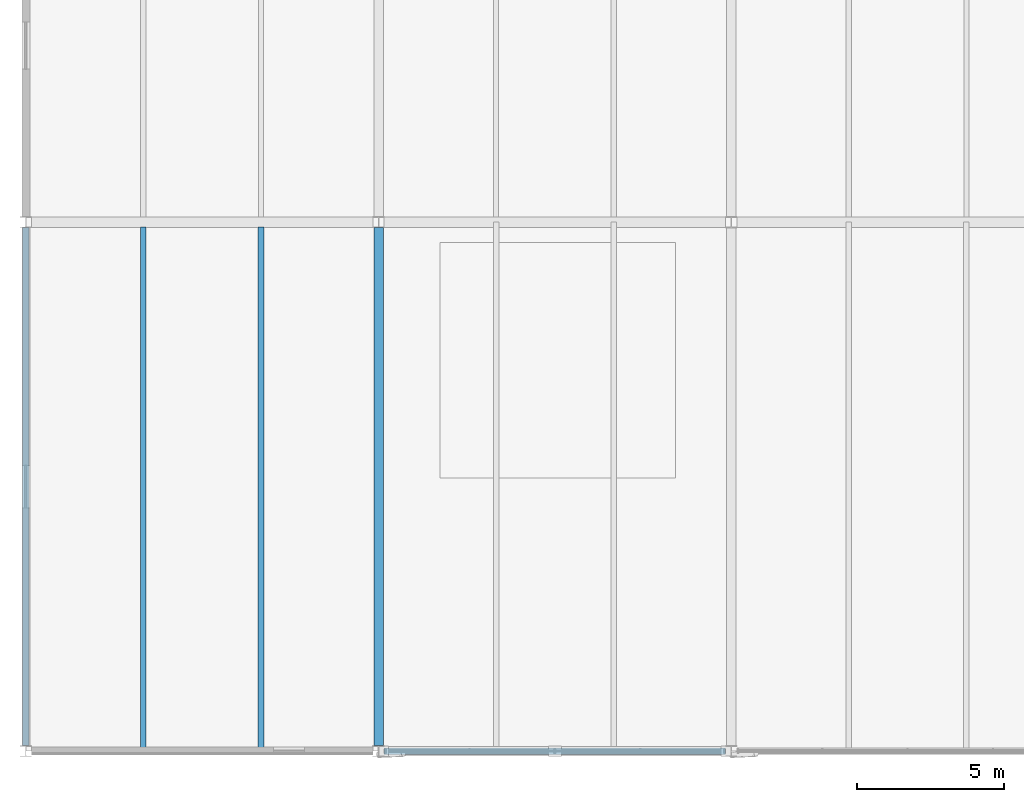
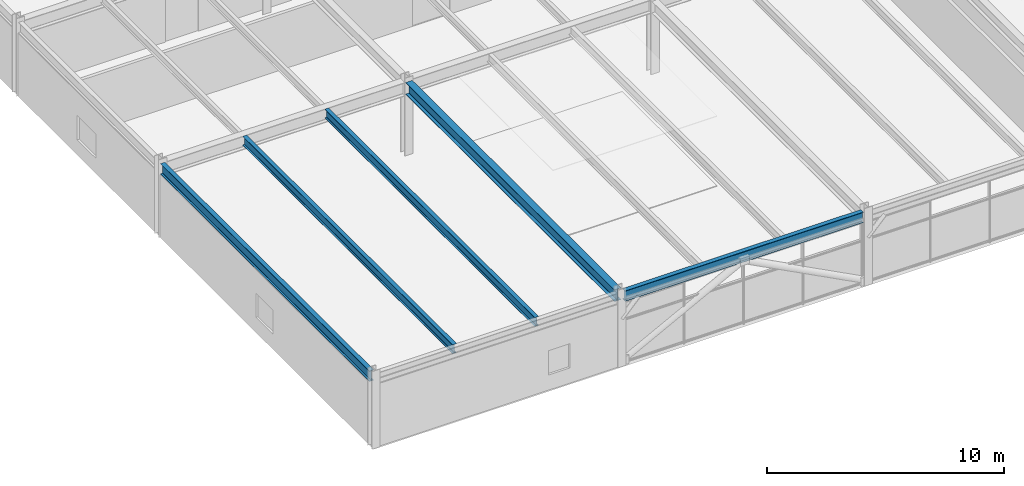
# One storey, part 9 of 52: 5 beams.
"""IFC4 building model written with IfcOpenShell, lengths in metres."""

from ifc_helpers import new_model, si_unit, direction, frame, origin, origin_2d, place, context, subcontext, project, spatial, i_section, extrude, material, material_profile, profile_set, type_object, element, save


model = new_model("IFC4")

# Units and contexts
model_context = context("Model", 3, precision=1e-05, world=origin(), true_north=direction((0.0, 1.0)))
body_context = subcontext(model_context, "Body", "Model", "MODEL_VIEW")
ifc_project = project(units=[si_unit("LENGTHUNIT", "METRE"), si_unit("AREAUNIT", "SQUARE_METRE"), si_unit("VOLUMEUNIT", "CUBIC_METRE"), si_unit("PLANEANGLEUNIT", "RADIAN"), si_unit("MASSUNIT", "GRAM", prefix="KILO")], contexts=[model_context])

# Site, building, storey
site_placement = place(None, origin())
site = spatial("IfcSite", under=ifc_project, at=site_placement, CompositionType="ELEMENT")
building_placement = place(site_placement, origin())
building = spatial("IfcBuilding", under=site, at=building_placement, Name="Girod Span Mobility Hub", CompositionType="ELEMENT")
storey_placement = place(building_placement, frame((0.0, 0.0, 45.60009765625)))
storey = spatial("IfcBuildingStorey", under=building, at=storey_placement, Name="L11", CompositionType="ELEMENT", Elevation=45.60009765625)

# Beams
ifc_material_1 = material(Name="Steel A992 Grade 50", Category="steel")
ifc_material_profile_1 = material_profile(ifc_material_1, i_section(OverallWidth=0.19189453125, OverallDepth=0.462890625, WebThickness=0.010498046875, FlangeThickness=0.017578125, FilletRadius=0.013916015625, at=origin_2d()), Name="W18X60")
ifc_profile_set_1 = profile_set([ifc_material_profile_1], Name="Steel A992 Grade 50")
beam_type_1 = type_object("IfcBeamType", Name="BM-STL-W18X60", PredefinedType="BEAM", material=ifc_profile_set_1)
for number, where, z_axis, x_axis, name in (
    (1, (28.0, 27.10302734375, 3.54833984375), (0.0, 1.0, 0.0), (-1.0, 0.0, 0.0), "Composite Floorbeam 3/C-1 L11"),
    (2, (32.0, 27.10302734375, 3.54833984375), (0.0, 1.0, 0.0), (-1.0, 0.0, 0.0), "Composite Floorbeam 3/C-2 L11"),
):
    element("IfcBeam", number, at=place(storey_placement, frame(where, z_axis=z_axis, x_axis=x_axis)), inside=storey, type_object=beam_type_1, Name=name, PredefinedType="BEAM", context=body_context, shape_type="SweptSolid", body=[
        extrude(i_section(OverallWidth=0.19189453125, OverallDepth=0.462890625, WebThickness=0.010498046875, FlangeThickness=0.017578125, FilletRadius=0.013916015625, at=origin_2d()), origin(), (0.0, 0.0, 1.0), 17.722412109375),
    ])
ifc_material_2 = material(Name="Steel A992 Grade 50", Category="steel")
ifc_material_profile_2 = material_profile(ifc_material_2, i_section(OverallWidth=0.2119140625, OverallDepth=0.5439453125, WebThickness=0.01318359375, FlangeThickness=0.021240234375, FilletRadius=0.014892578125, at=origin_2d()), Name="W21X83")
ifc_profile_set_2 = profile_set([ifc_material_profile_2], Name="Steel A992 Grade 50")
beam_type_2 = type_object("IfcBeamType", Name="BM-STL-W21X83", PredefinedType="SPANDREL", material=ifc_profile_set_2)
beam_1_placement = place(storey_placement, frame((36.194091796875, 27.0, 3.5078125), z_axis=(1.0, 0.0, 0.0), x_axis=(0.0, 1.0, 0.0)))
element("IfcBeam", 3, at=beam_1_placement, inside=storey, type_object=beam_type_2, Name="Girder 4-5/C L11", PredefinedType="SPANDREL", context=body_context, shape_type="SweptSolid", body=[
    extrude(i_section(OverallWidth=0.2119140625, OverallDepth=0.5439453125, WebThickness=0.01318359375, FlangeThickness=0.021240234375, FilletRadius=0.014892578125, at=origin_2d()), origin(), (0.0, 0.0, 1.0), 11.61181640625),
])
beam_2_placement = place(storey_placement, frame((24.0, 27.1845703125, 3.5078125), z_axis=(0.0, 1.0, 0.0), x_axis=(-1.0, 0.0, 0.0)))
element("IfcBeam", 4, at=beam_2_placement, inside=storey, type_object=beam_type_2, Name="Tie Girder 3/C-D L11", PredefinedType="SPANDREL", context=body_context, shape_type="SweptSolid", body=[
    extrude(i_section(OverallWidth=0.2119140625, OverallDepth=0.5439453125, WebThickness=0.01318359375, FlangeThickness=0.021240234375, FilletRadius=0.014892578125, at=origin_2d()), origin(), (0.0, 0.0, 1.0), 17.630859375),
])
ifc_material_3 = material(Name="Steel A992 Grade 50", Category="steel")
ifc_material_profile_3 = material_profile(ifc_material_3, i_section(OverallWidth=0.323974609375, OverallDepth=0.611083984375, WebThickness=0.0126953125, FlangeThickness=0.01904296875, FilletRadius=0.014892578125, at=origin_2d()), Name="W24X104")
ifc_profile_set_3 = profile_set([ifc_material_profile_3], Name="Steel A992 Grade 50")
beam_type_3 = type_object("IfcBeamType", Name="BM-STL-W24X104", PredefinedType="BEAM", material=ifc_profile_set_3)
beam_3_placement = place(storey_placement, frame((36.0, 27.1845703125, 3.474365234375), z_axis=(0.0, 1.0, 0.0), x_axis=(-1.0, 0.0, 0.0)))
element("IfcBeam", 5, at=beam_3_placement, inside=storey, type_object=beam_type_3, Name="Tie Girder 4/C-D L11", PredefinedType="BEAM", context=body_context, shape_type="SweptSolid", body=[
    extrude(i_section(OverallWidth=0.323974609375, OverallDepth=0.611083984375, WebThickness=0.0126953125, FlangeThickness=0.01904296875, FilletRadius=0.014892578125, at=origin_2d()), origin(), (0.0, 0.0, 1.0), 17.630859375),
])

save(model, "model.ifc")
